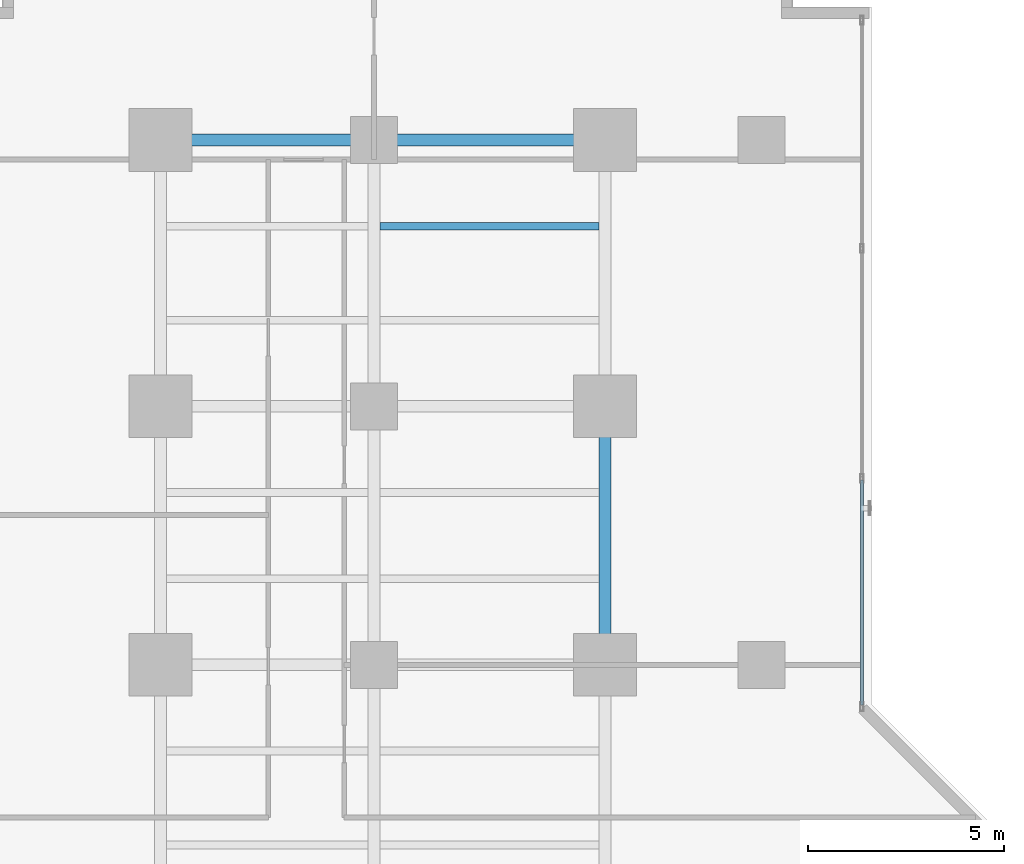
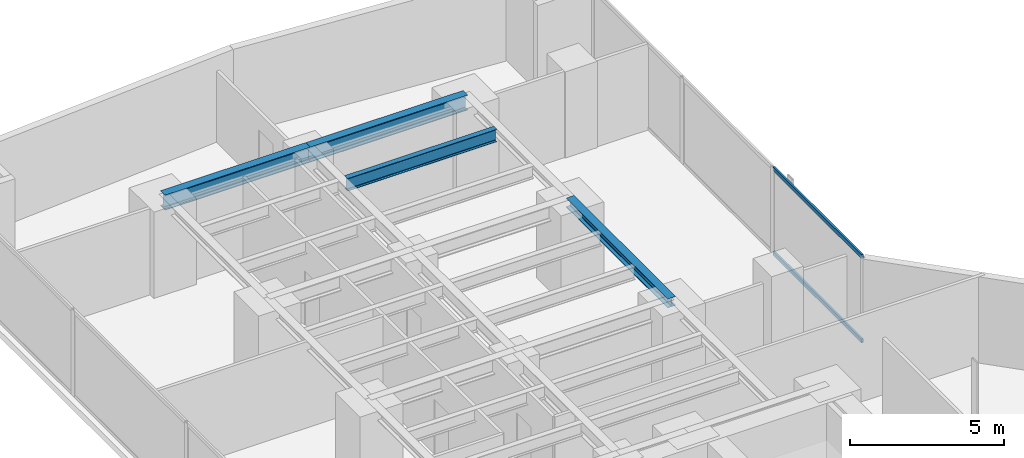
# One storey, part 18 of 28: 4 beams, 2 members, 1 element without a shape of its own.
"""IFC4 building model written with IfcOpenShell, lengths in metres."""

from ifc_helpers import new_model, si_unit, direction, frame, origin, origin_with_axes, origin_2d, place, context, subcontext, project, spatial, hollow_rectangle, i_section, extrude, source, transform, mapped, material, layer, layer_set, material_profile, profile_set, type_object, element, aggregate, save


model = new_model("IFC4")

# Units and contexts
model_context = context("Model", 3, precision=1e-05, world=origin(), true_north=direction((0.0, 1.0)))
body_context = subcontext(model_context, "Body", "Model", "MODEL_VIEW")
ifc_project = project(units=[si_unit("LENGTHUNIT", "METRE"), si_unit("AREAUNIT", "SQUARE_METRE"), si_unit("VOLUMEUNIT", "CUBIC_METRE"), si_unit("PLANEANGLEUNIT", "RADIAN"), si_unit("MASSUNIT", "GRAM", prefix="KILO")], contexts=[model_context])

# Site, building, storey
site_placement = place(None, origin())
site = spatial("IfcSite", under=ifc_project, at=site_placement, CompositionType="ELEMENT")
building_placement = place(site_placement, origin())
building = spatial("IfcBuilding", under=site, at=building_placement, Name="Kolvaren Waterfront Exchange", CompositionType="ELEMENT")
storey_placement = place(building_placement, frame((0.0, 0.0, 79.0)))
storey = spatial("IfcBuildingStorey", under=building, at=storey_placement, Name="L20", CompositionType="ELEMENT", Elevation=79.0)

# Beams
ifc_material_1 = material(Name="Steel S355", Category="steel")
ifc_material_profile_1 = material_profile(ifc_material_1, i_section(OverallWidth=0.300048828125, OverallDepth=0.360107421875, WebThickness=0.012451171875, FlangeThickness=0.0224609375, FilletRadius=0.027099609375, at=origin_2d()), Name="HEB360")
ifc_profile_set_1 = profile_set([ifc_material_profile_1], Name="Steel S355")
beam_type_1 = type_object("IfcBeamType", Name="STR-BM-HEB360", PredefinedType="SPANDREL", material=ifc_profile_set_1)
beam_1_placement = place(storey_placement, frame((18.800048828125, 31.199951171875, 3.239990234375), z_axis=(0.0, 1.0, 0.0), x_axis=(-1.0, 0.0, 0.0)))
element("IfcBeam", 1, at=beam_1_placement, inside=storey, type_object=beam_type_1, Name="L20 north-arm edge beam 2", PredefinedType="SPANDREL", context=body_context, shape_type="SweptSolid", body=[
    extrude(i_section(OverallWidth=0.300048828125, OverallDepth=0.360107421875, WebThickness=0.012451171875, FlangeThickness=0.0224609375, FilletRadius=0.027099609375, at=origin_2d()), origin(), (0.0, 0.0, 1.0), 6.60009765625),
])
ifc_material_profile_2 = material_profile(ifc_material_1, i_section(OverallWidth=0.300048828125, OverallDepth=0.60009765625, WebThickness=0.015380859375, FlangeThickness=0.030029296875, FilletRadius=0.027099609375, at=origin_2d()), Name="HEB600")
ifc_profile_set_2 = profile_set([ifc_material_profile_2], Name="Steel S355")
beam_type_2 = type_object("IfcBeamType", Name="STR-BM-HEB600", PredefinedType="BEAM", material=ifc_profile_set_2)
beam_2_placement = place(storey_placement, frame((7.449951171875, 44.60009765625, 3.1201171875), z_axis=(1.0, 0.0, 0.0), x_axis=(0.0, 1.0, 0.0)))
element("IfcBeam", 2, at=beam_2_placement, inside=storey, type_object=beam_type_2, Name="L20 north-arm girder 4A", PredefinedType="BEAM", context=body_context, shape_type="SweptSolid", body=[
    extrude(i_section(OverallWidth=0.300048828125, OverallDepth=0.60009765625, WebThickness=0.015380859375, FlangeThickness=0.030029296875, FilletRadius=0.027099609375, at=origin_2d()), origin(), (0.0, 0.0, 1.0), 5.449951171875),
])
beam_3_placement = place(storey_placement, frame((12.89990234375, 44.60009765625, 3.1201171875), z_axis=(1.0, 0.0, 0.0), x_axis=(0.0, 1.0, 0.0)))
element("IfcBeam", 3, at=beam_3_placement, inside=storey, type_object=beam_type_2, Name="L20 north-arm girder 4B", PredefinedType="BEAM", context=body_context, shape_type="SweptSolid", body=[
    extrude(i_section(OverallWidth=0.300048828125, OverallDepth=0.60009765625, WebThickness=0.015380859375, FlangeThickness=0.030029296875, FilletRadius=0.027099609375, at=origin_2d()), origin(), (0.0, 0.0, 1.0), 5.900146484375),
])
ifc_material_profile_3 = material_profile(ifc_material_1, i_section(OverallWidth=0.199951171875, OverallDepth=0.5, WebThickness=0.01025390625, FlangeThickness=0.01611328125, FilletRadius=0.02099609375, at=origin_2d()), Name="IPE500")
ifc_profile_set_3 = profile_set([ifc_material_profile_3], Name="Steel S355")
beam_type_3 = type_object("IfcBeamType", Name="STR-BM-IPE500", PredefinedType="JOIST", material=ifc_profile_set_3)
beam_4_placement = place(storey_placement, frame((13.052001953125, 42.39990234375, 3.169921875), z_axis=(1.0, 0.0, 0.0), x_axis=(0.0, 1.0, 0.0)))
element("IfcBeam", 4, at=beam_4_placement, inside=storey, type_object=beam_type_3, Name="L20 north-arm composite joist 6B", PredefinedType="JOIST", context=body_context, shape_type="SweptSolid", body=[
    extrude(i_section(OverallWidth=0.199951171875, OverallDepth=0.5, WebThickness=0.01025390625, FlangeThickness=0.01611328125, FilletRadius=0.02099609375, at=origin_2d()), origin(), (0.0, 0.0, 1.0), 5.595947265625),
])

# Curtain wall, members
ifc_material_2 = material(Name="Anodised bronze aluminium 6063-T6", Category="aluminium")
ifc_layer = layer(ifc_material_2, 0.219970703125, Name="Anodised bronze aluminium 6063-T6")
ifc_layer_set = layer_set([ifc_layer], Name="Anodised bronze aluminium 6063-T6")
curtain_wall_type = type_object("IfcCurtainWallType", Name="ARC-CW-SYS1", PredefinedType="USERDEFINED", material=ifc_layer_set)
curtain_wall_placement = place(storey_placement, origin())
curtain_wall = element("IfcCurtainWall", 5, at=curtain_wall_placement, inside=storey, type_object=curtain_wall_type, Name="L20 stick curtain wall CW1 (CW-L20-NE)", ObjectType="STICK CURTAIN WALL", PredefinedType="USERDEFINED")
ifc_material_3 = material(Name="Anodised aluminium 6063-T6", Category="aluminium")
ifc_material_profile_4 = material_profile(ifc_material_3, hollow_rectangle(XDim=0.074951171875, YDim=0.159912109375, WallThickness=0.00439453125, at=origin_2d()), Name="ALU-TRN-160x75x4.5")
ifc_profile_set_4 = profile_set([ifc_material_profile_4], Name="Anodised aluminium 6063-T6")
member_type = type_object("IfcMemberType", Name="ARC-CWT-160", PredefinedType="USERDEFINED", material=ifc_profile_set_4)
shared_shape = source(origin_with_axes(), body_context, "Body", "SweptSolid", [
    extrude(hollow_rectangle(XDim=0.074951171875, YDim=0.159912109375, WallThickness=0.00439453125, at=origin_2d()), origin(), (0.0, 0.0, 1.0), 5.75),
])
member_1_placement = place(storey_placement, frame((25.360107421875, 30.169921875, 0.03759765625), z_axis=(0.0, 1.0, 0.0), x_axis=(-1.0, 0.0, 0.0)))
member_1 = element("IfcMember", 6, at=member_1_placement, type_object=member_type, Name="CW1 transom 1.1", ObjectType="TRANSOM", PredefinedType="USERDEFINED", context=body_context, shape_type="MappedRepresentation", body=[
    mapped(shared_shape, transform((0.0, 0.0, 0.0), x_axis=(1.0, 0.0, 0.0), y_axis=(0.0, 1.0, 0.0), z_axis=(0.0, 0.0, 1.0), scale=1.0)),
])
member_2_placement = place(storey_placement, frame((25.360107421875, 30.169921875, 3.382568359375), z_axis=(0.0, 1.0, 0.0), x_axis=(-1.0, 0.0, 0.0)))
member_2 = element("IfcMember", 7, at=member_2_placement, type_object=member_type, Name="CW1 transom 1.2", ObjectType="TRANSOM", PredefinedType="USERDEFINED", context=body_context, shape_type="MappedRepresentation", body=[
    mapped(shared_shape, transform((0.0, 0.0, 0.0), x_axis=(1.0, 0.0, 0.0), y_axis=(0.0, 1.0, 0.0), z_axis=(0.0, 0.0, 1.0), scale=1.0)),
])
aggregate(curtain_wall, [member_1, member_2])

save(model, "model.ifc")
